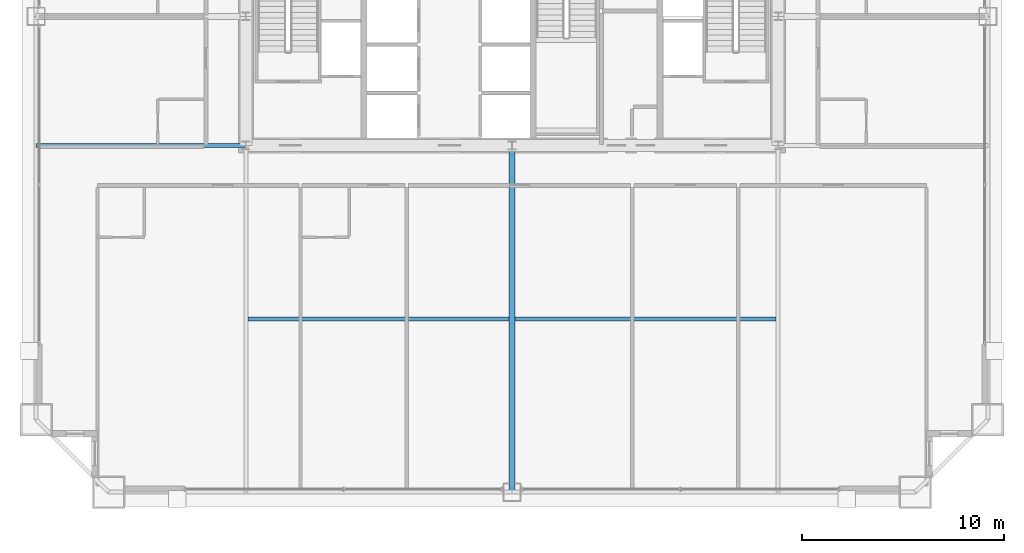
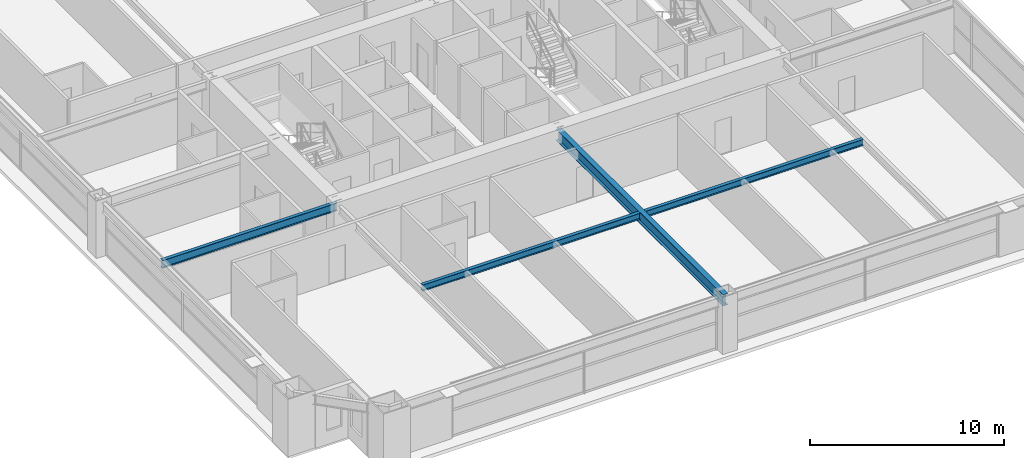
# One storey, part 11 of 39: 4 beams.
"""IFC4 building model written with IfcOpenShell, lengths in metres."""

from ifc_helpers import new_model, si_unit, direction, frame, origin, origin_2d, place, context, subcontext, project, spatial, i_section, extrude, source, transform, mapped, material, material_profile, profile_set, type_object, element, save


model = new_model("IFC4")

# Units and contexts
model_context = context("Model", 3, precision=1e-05, world=origin(), true_north=direction((0.0, 1.0)))
body_context = subcontext(model_context, "Body", "Model", "MODEL_VIEW")
ifc_project = project(units=[si_unit("LENGTHUNIT", "METRE"), si_unit("AREAUNIT", "SQUARE_METRE"), si_unit("VOLUMEUNIT", "CUBIC_METRE"), si_unit("PLANEANGLEUNIT", "RADIAN"), si_unit("MASSUNIT", "GRAM", prefix="KILO"), si_unit("THERMODYNAMICTEMPERATUREUNIT", "KELVIN"), si_unit("POWERUNIT", "WATT")], contexts=[model_context])

# Site, building, storey
site_placement = place(None, origin())
site = spatial("IfcSite", under=ifc_project, at=site_placement, CompositionType="ELEMENT")
building_placement = place(site_placement, origin())
building = spatial("IfcBuilding", under=site, at=building_placement, Name="Yuzanri Waterfront Tower", CompositionType="ELEMENT")
storey_placement = place(building_placement, frame((0.0, 0.0, 134.39990234375)))
storey = spatial("IfcBuildingStorey", under=building, at=storey_placement, Name="L35", CompositionType="ELEMENT", Elevation=134.39990234375)

# Beams
ifc_material_1 = material(Name="Steel Q355B", Category="steel")
ifc_material_profile_1 = material_profile(ifc_material_1, i_section(OverallWidth=0.199951171875, OverallDepth=0.39990234375, WebThickness=0.008056640625, FlangeThickness=0.012939453125, at=origin_2d()), Name="HN 400x200x8x13")
ifc_profile_set_1 = profile_set([ifc_material_profile_1], Name="Steel Q355B")
beam_type_1 = type_object("IfcBeamType", Name="Floor Joist Q355B HN 400x200", PredefinedType="JOIST", material=ifc_profile_set_1)
shared_shape_1 = source(origin(), body_context, "Body", "SweptSolid", [
    extrude(i_section(OverallWidth=0.199951171875, OverallDepth=0.39990234375, WebThickness=0.008056640625, FlangeThickness=0.012939453125, at=origin_2d()), origin(), (0.0, 0.0, 1.0), 12.9501953125),
])
for number, where, z_axis, x_axis, name in (
    (1, (23.89990234375, 10.800048828125, 3.18017578125), (1.0, 0.0, 0.0), (0.0, 1.0, 0.0), "L35 South Bay Joist W"),
    (2, (37.14990234375, 10.800048828125, 3.18017578125), (1.0, 0.0, 0.0), (0.0, 1.0, 0.0), "L35 South Bay Joist E"),
):
    element("IfcBeam", number, at=place(storey_placement, frame(where, z_axis=z_axis, x_axis=x_axis)), inside=storey, type_object=beam_type_1, Name=name, PredefinedType="JOIST", context=body_context, shape_type="MappedRepresentation", body=[
        mapped(shared_shape_1, transform((0.0, 0.0, 0.0), scale=1.0)),
    ])
ifc_material_2 = material(Name="Steel Q355B", Category="steel")
ifc_material_profile_2 = material_profile(ifc_material_2, i_section(OverallWidth=0.300048828125, OverallDepth=0.699951171875, WebThickness=0.012939453125, FlangeThickness=0.02392578125, at=origin_2d()), Name="HN 700x300x13x24")
ifc_profile_set_2 = profile_set([ifc_material_profile_2], Name="Steel Q355B")
beam_type_2 = type_object("IfcBeamType", Name="Primary Floor Girder Q355B HN 700x300", PredefinedType="BEAM", material=ifc_profile_set_2)
shared_shape_2 = source(origin(), body_context, "Body", "SweptSolid", [
    extrude(i_section(OverallWidth=0.300048828125, OverallDepth=0.699951171875, WebThickness=0.012939453125, FlangeThickness=0.02392578125, at=origin_2d()), origin(), (0.0, 0.0, 1.0), 17.199951171875),
])
beam_1_placement = place(storey_placement, frame((37.0, 19.39990234375, 3.030029296875), z_axis=(0.0, -1.0, 0.0), x_axis=(1.0, 0.0, 0.0)))
element("IfcBeam", 3, at=beam_1_placement, inside=storey, type_object=beam_type_2, Name="L35 South Grid Girder", PredefinedType="BEAM", context=body_context, shape_type="MappedRepresentation", body=[
    mapped(shared_shape_2, transform((0.0, 0.0, 0.0), scale=1.0)),
])
ifc_material_3 = material(Name="Steel Q355B", Category="steel")
ifc_material_profile_3 = material_profile(ifc_material_3, i_section(OverallWidth=0.199951171875, OverallDepth=0.5, WebThickness=0.010009765625, FlangeThickness=0.01611328125, at=origin_2d()), Name="HN 500x200x10x16")
ifc_profile_set_3 = profile_set([ifc_material_profile_3], Name="Steel Q355B")
beam_type_3 = type_object("IfcBeamType", Name="Secondary Floor Beam Q355B HN 500x200", PredefinedType="BEAM", material=ifc_profile_set_3)
shared_shape_3 = source(origin(), body_context, "Body", "SweptSolid", [
    extrude(i_section(OverallWidth=0.199951171875, OverallDepth=0.5, WebThickness=0.010009765625, FlangeThickness=0.01611328125, at=origin_2d()), origin(), (0.0, 0.0, 1.0), 10.400146484375),
])
beam_2_placement = place(storey_placement, frame((23.800048828125, 19.39990234375, 3.130126953125), z_axis=(-1.0, 0.0, 0.0), x_axis=(0.0, -1.0, 0.0)))
element("IfcBeam", 4, at=beam_2_placement, inside=storey, type_object=beam_type_3, Name="L35 West-South Core Line Beam", PredefinedType="BEAM", context=body_context, shape_type="MappedRepresentation", body=[
    mapped(shared_shape_3, transform((0.0, 0.0, 0.0), scale=1.0)),
])

save(model, "model.ifc")
